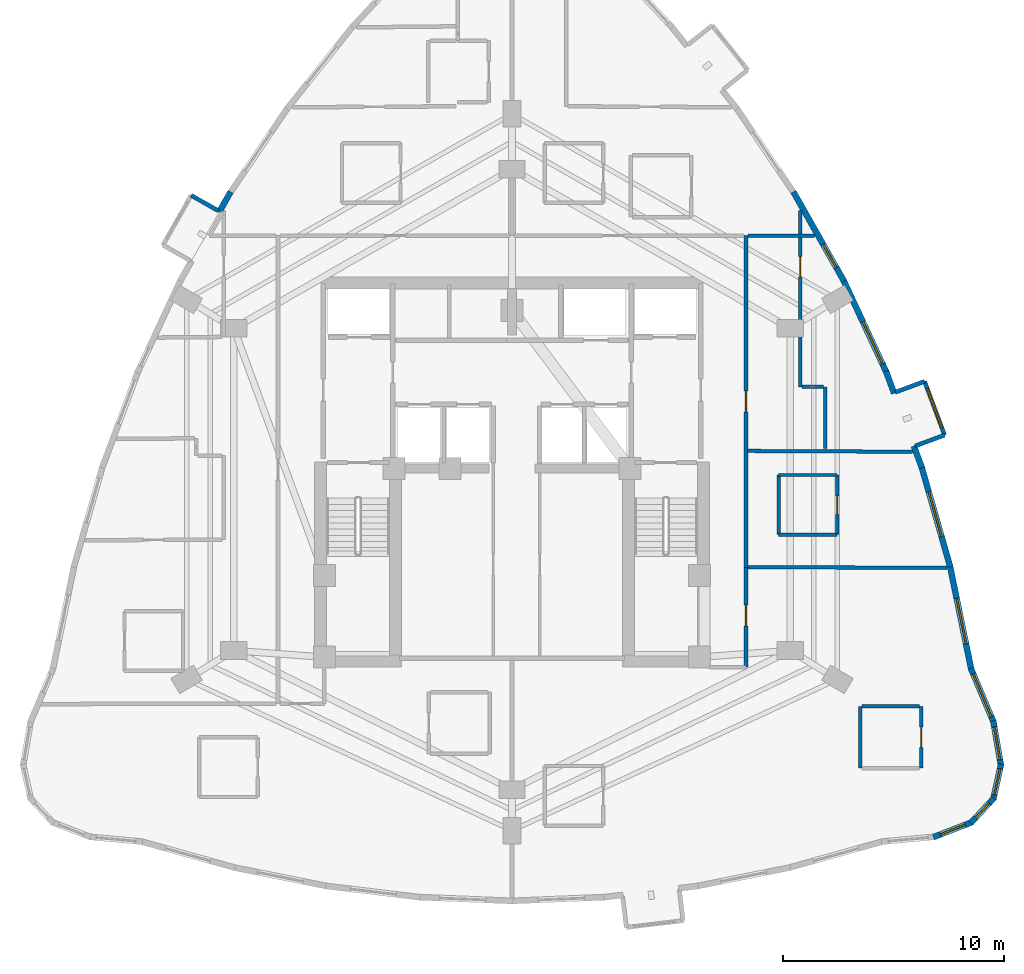
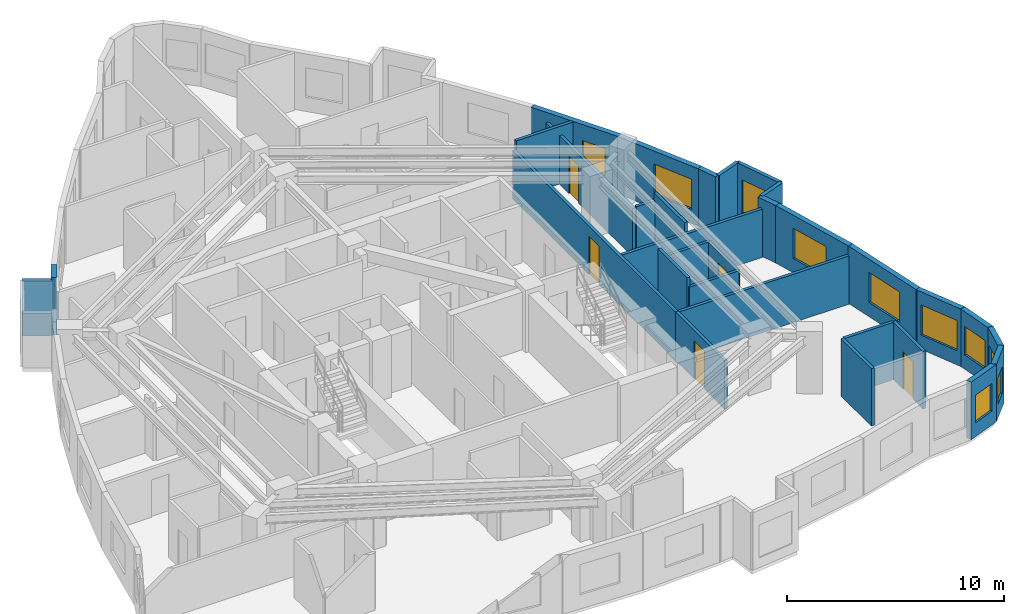
# One storey, part 9 of 12: 31 walls, 10 windows, 5 doors, 15 openings.
"""IFC4 building model written with IfcOpenShell, lengths in metres."""

from ifc_helpers import new_model, si_unit, direction, frame, frame_2d, origin, place, context, subcontext, project, spatial, rectangle, extrude, material, layer, layer_set, type_object, element, fill, save


model = new_model("IFC4")

# Units and contexts
model_context = context("Model", 3, precision=1e-05, world=origin(), true_north=direction((0.0, 1.0)))
body_context = subcontext(model_context, "Body", "Model", "MODEL_VIEW")
ifc_project = project(units=[si_unit("LENGTHUNIT", "METRE"), si_unit("AREAUNIT", "SQUARE_METRE"), si_unit("VOLUMEUNIT", "CUBIC_METRE"), si_unit("PLANEANGLEUNIT", "RADIAN"), si_unit("MASSUNIT", "GRAM", prefix="KILO")], contexts=[model_context])

# Site, building, storey
site_placement = place(None, origin())
site = spatial("IfcSite", under=ifc_project, at=site_placement, CompositionType="ELEMENT")
building_placement = place(site_placement, origin())
building = spatial("IfcBuilding", under=site, at=building_placement, Name="Miruveldt Soraemaru", CompositionType="ELEMENT")
storey_placement = place(building_placement, frame((0.0, 0.0, 110.89990234375)))
storey = spatial("IfcBuildingStorey", under=building, at=storey_placement, Name="L30", CompositionType="ELEMENT", Elevation=110.89990234375)

# Walls
ifc_material_1 = material(Name="White powder-coated aluminium EN AW-6060 T6", Category="aluminium")
ifc_layer_1 = layer(ifc_material_1, 0.18994140625, Name="White powder-coated aluminium EN AW-6060 T6", Category="aluminium")
ifc_layer_set_1 = layer_set([ifc_layer_1], Name="White powder-coated aluminium EN AW-6060 T6")
wall_type_1 = type_object("IfcWallType", Name="WALL-BAY-ALU190", PredefinedType="SOLIDWALL", material=ifc_layer_set_1)
wall_1_placement = place(storey_placement, frame((30.7021484375, 55.720703125, 0.0), z_axis=(0.0, 0.0, 1.0), x_axis=(-0.869799191674, 0.493405883794, 0.0)))
element("IfcWall", 1, at=wall_1_placement, inside=storey, type_object=wall_type_1, Name="L30 Bay Window Side Cheek 4L", PredefinedType="SOLIDWALL", context=body_context, shape_type="SweptSolid", body=[
    extrude(rectangle(XDim=1.425048828125, YDim=0.18994140625, at=frame_2d((0.71240234375, 0.0))), origin(), (0.0, 0.0, 1.0), 3.085205078125),
])
for number, where, z_axis, x_axis, name in (
    (2, (62.263671875, 45.063232421875, 0.0), (0.0, 0.0, 1.0), (0.937073323404, 0.34913262031, 0.0), "L30 Bay Window Side Cheek 2L"),
    (3, (62.691650390625, 47.997314453125, 0.0), (0.0, 0.0, 1.0), (-0.937073323404, -0.34913262031, 0.0), "L30 Bay Window Side Cheek 2R"),
):
    element("IfcWall", number, at=place(storey_placement, frame(where, z_axis=z_axis, x_axis=x_axis)), inside=storey, type_object=wall_type_1, Name=name, PredefinedType="SOLIDWALL", context=body_context, shape_type="SweptSolid", body=[
        extrude(rectangle(XDim=1.425048828125, YDim=0.18994140625, at=frame_2d((0.71240234375, 0.0))), origin(), (0.0, 0.0, 1.0), 3.235107421875),
    ])

# Wall, opening, window
wall_2_placement = place(storey_placement, frame((63.59912109375, 45.560791015625, 0.0), z_axis=(0.0, 0.0, 1.0), x_axis=(-0.349023333144, 0.937114034107, 0.0)))
wall_2 = element("IfcWall", 4, at=wall_2_placement, inside=storey, type_object=wall_type_1, Name="L30 Bay Window Front Frame 2", PredefinedType="SOLIDWALL", context=body_context, shape_type="SweptSolid", body=[
    extrude(rectangle(XDim=2.60009765625, YDim=0.18994140625, at=frame_2d((1.300048828125, 0.0))), origin(), (0.0, 0.0, 1.0), 3.235107421875),
])
opening_1_placement = place(wall_2_placement, frame((0.35009765625, 0.0, 0.550048828125)))
opening_1 = element("IfcOpeningElement", 5, at=opening_1_placement, cuts=wall_2, Name="Opening WN-6", PredefinedType="OPENING", context=body_context, shape_type="SweptSolid", body=[
    extrude(rectangle(XDim=1.89990234375, YDim=1.85009765625, at=frame_2d((0.949951171875, 0.925048828125))), frame((0.0, 0.10498046875, 0.0), z_axis=(0.0, -1.0, 0.0), x_axis=(1.0, 0.0, 0.0)), (0.0, 0.0, 1.0), 0.2099609375),
])
ifc_material_2 = material(Name="Triple low-e insulated glazing", Category="glass")
window_type_1 = type_object("IfcWindowType", Name="WIN-BAYW-1900x1850", PartitioningType="SINGLE_PANEL", PredefinedType="WINDOW", material=ifc_material_2)
window_1_placement = place(opening_1_placement, origin())
window_1 = element("IfcWindow", 6, at=window_1_placement, inside=storey, type_object=window_type_1, Name="L30 Projecting Bay Window 2", OverallHeight=1.85009765625, OverallWidth=1.89990234375, PartitioningType="SINGLE_PANEL", PredefinedType="WINDOW", context=body_context, shape_type="SweptSolid", body=[
    extrude(rectangle(XDim=1.89990234375, YDim=1.85009765625, at=frame_2d((0.949951171875, 0.925048828125))), frame((0.0, 0.030029296875, 0.0), z_axis=(0.0, -1.0, 0.0), x_axis=(1.0, 0.0, 0.0)), (0.0, 0.0, 1.0), 0.06005859375),
])
fill(opening_1, window_1)

# Wall
ifc_material_3 = material(Name="Precast concrete C45/55 (45 MPa)", Category="concrete")
ifc_layer_2 = layer(ifc_material_3, 0.27001953125, Name="Precast concrete C45/55 (45 MPa)", Category="concrete")
ifc_layer_set_2 = layer_set([ifc_layer_2], Name="Precast concrete C45/55 (45 MPa)")
wall_type_2 = type_object("IfcWallType", Name="WALL-EXT-PC270", PredefinedType="SOLIDWALL", material=ifc_layer_set_2)
wall_3_placement = place(storey_placement, frame((31.25537109375, 56.584716796875, 0.0), z_axis=(0.0, 0.0, 1.0), x_axis=(-0.493368864845, -0.869820190155, 0.0)))
element("IfcWall", 7, at=wall_3_placement, inside=storey, type_object=wall_type_2, Name="L30 Precast Pier Wall 10A", PredefinedType="SOLIDWALL", context=body_context, shape_type="SweptSolid", body=[
    extrude(rectangle(XDim=1.054443359375, YDim=0.27001953125, at=frame_2d((0.52734375, 0.0))), origin(), (0.0, 0.0, 1.0), 3.235107421875),
])

# Wall, opening, window
wall_4_placement = place(storey_placement, frame((63.08984375, 27.344482421875, 0.0), z_axis=(0.0, 0.0, 1.0), x_axis=(0.932266214278, 0.361773003023, 0.0)))
wall_4 = element("IfcWall", 8, at=wall_4_placement, inside=storey, type_object=wall_type_2, Name="L30 Precast Concrete Facade Wall 30", PredefinedType="SOLIDWALL", context=body_context, shape_type="SweptSolid", body=[
    extrude(rectangle(XDim=1.872802734375, YDim=0.27001953125, at=frame_2d((0.9365234375, 0.0))), origin(), (0.0, 0.0, 1.0), 3.235107421875),
])
opening_2_placement = place(wall_4_placement, frame((0.3369140625, 0.0, 0.780029296875)))
opening_2 = element("IfcOpeningElement", 9, at=opening_2_placement, cuts=wall_4, Name="Opening WN-4", PredefinedType="OPENING", context=body_context, shape_type="SweptSolid", body=[
    extrude(rectangle(XDim=1.199951171875, YDim=1.550048828125, at=frame_2d((0.60009765625, 0.77490234375))), frame((0.0, 0.14501953125, 0.0), z_axis=(0.0, -1.0, 0.0), x_axis=(1.0, 0.0, 0.0)), (0.0, 0.0, 1.0), 0.2900390625),
])
window_type_2 = type_object("IfcWindowType", Name="WIN-PUNCH-1200x1550", PartitioningType="SINGLE_PANEL", PredefinedType="WINDOW", material=ifc_material_2)
window_2_placement = place(opening_2_placement, origin())
window_2 = element("IfcWindow", 10, at=window_2_placement, inside=storey, type_object=window_type_2, Name="L30 Punched Triple-Glazed Window 30.1", OverallHeight=1.550048828125, OverallWidth=1.199951171875, PartitioningType="SINGLE_PANEL", PredefinedType="WINDOW", context=body_context, shape_type="SweptSolid", body=[
    extrude(rectangle(XDim=1.199951171875, YDim=1.550048828125, at=frame_2d((0.60009765625, 0.77490234375))), frame((0.0, 0.030029296875, 0.0), z_axis=(0.0, -1.0, 0.0), x_axis=(1.0, 0.0, 0.0)), (0.0, 0.0, 1.0), 0.06005859375),
])
fill(opening_2, window_2)

wall_5_placement = place(storey_placement, frame((64.779296875, 27.983642578125, 0.0), z_axis=(0.0, 0.0, 1.0), x_axis=(0.68019166937, 0.733034305418, 0.0)))
wall_5 = element("IfcWall", 11, at=wall_5_placement, inside=storey, type_object=wall_type_2, Name="L30 Precast Concrete Facade Wall 31", PredefinedType="SOLIDWALL", context=body_context, shape_type="SweptSolid", body=[
    extrude(rectangle(XDim=1.552490234375, YDim=0.27001953125, at=frame_2d((0.7763671875, 0.0))), origin(), (0.0, 0.0, 1.0), 3.235107421875),
])
opening_3_placement = place(wall_5_placement, frame((0.325927734375, 0.0, 0.780029296875)))
opening_3 = element("IfcOpeningElement", 12, at=opening_3_placement, cuts=wall_5, Name="Opening WN-7", PredefinedType="OPENING", context=body_context, shape_type="SweptSolid", body=[
    extrude(rectangle(XDim=0.89990234375, YDim=1.5, at=frame_2d((0.449951171875, 0.75))), frame((0.0, 0.14501953125, 0.0), z_axis=(0.0, -1.0, 0.0), x_axis=(1.0, 0.0, 0.0)), (0.0, 0.0, 1.0), 0.2900390625),
])
window_type_3 = type_object("IfcWindowType", Name="WIN-PUNCH-900x1500", PartitioningType="SINGLE_PANEL", PredefinedType="WINDOW", material=ifc_material_2)
window_3_placement = place(opening_3_placement, origin())
window_3 = element("IfcWindow", 13, at=window_3_placement, inside=storey, type_object=window_type_3, Name="L30 Punched Triple-Glazed Window 31.1", OverallHeight=1.5, OverallWidth=0.89990234375, PartitioningType="SINGLE_PANEL", PredefinedType="WINDOW", context=body_context, shape_type="SweptSolid", body=[
    extrude(rectangle(XDim=0.89990234375, YDim=1.5, at=frame_2d((0.449951171875, 0.75))), frame((0.0, 0.030029296875, 0.0), z_axis=(0.0, -1.0, 0.0), x_axis=(1.0, 0.0, 0.0)), (0.0, 0.0, 1.0), 0.06005859375),
])
fill(opening_3, window_3)

wall_6_placement = place(storey_placement, frame((65.803955078125, 29.061767578125, 0.0), z_axis=(0.0, 0.0, 1.0), x_axis=(0.215628344591, 0.976475507634, 0.0)))
wall_6 = element("IfcWall", 14, at=wall_6_placement, inside=storey, type_object=wall_type_2, Name="L30 Precast Concrete Facade Wall 32", PredefinedType="SOLIDWALL", context=body_context, shape_type="SweptSolid", body=[
    extrude(rectangle(XDim=1.628173828125, YDim=0.27001953125, at=frame_2d((0.81396484375, 0.0))), origin(), (0.0, 0.0, 1.0), 3.235107421875),
])
opening_4_placement = place(wall_6_placement, frame((0.214111328125, 0.0, 0.780029296875)))
opening_4 = element("IfcOpeningElement", 15, at=opening_4_placement, cuts=wall_6, Name="Opening WN-4", PredefinedType="OPENING", context=body_context, shape_type="SweptSolid", body=[
    extrude(rectangle(XDim=1.199951171875, YDim=1.550048828125, at=frame_2d((0.60009765625, 0.77490234375))), frame((0.0, 0.14501953125, 0.0), z_axis=(0.0, -1.0, 0.0), x_axis=(1.0, 0.0, 0.0)), (0.0, 0.0, 1.0), 0.2900390625),
])
window_4_placement = place(opening_4_placement, origin())
window_4 = element("IfcWindow", 16, at=window_4_placement, inside=storey, type_object=window_type_2, Name="L30 Punched Triple-Glazed Window 32.1", OverallHeight=1.550048828125, OverallWidth=1.199951171875, PartitioningType="SINGLE_PANEL", PredefinedType="WINDOW", context=body_context, shape_type="SweptSolid", body=[
    extrude(rectangle(XDim=1.199951171875, YDim=1.550048828125, at=frame_2d((0.60009765625, 0.77490234375))), frame((0.0, 0.030029296875, 0.0), z_axis=(0.0, -1.0, 0.0), x_axis=(1.0, 0.0, 0.0)), (0.0, 0.0, 1.0), 0.06005859375),
])
fill(opening_4, window_4)

wall_7_placement = place(storey_placement, frame((66.1533203125, 30.5830078125, 0.0), z_axis=(0.0, 0.0, 1.0), x_axis=(-0.16931007095, 0.985562834057, 0.0)))
wall_7 = element("IfcWall", 17, at=wall_7_placement, inside=storey, type_object=wall_type_2, Name="L30 Precast Concrete Facade Wall 33", PredefinedType="SOLIDWALL", context=body_context, shape_type="SweptSolid", body=[
    extrude(rectangle(XDim=2.054931640625, YDim=0.27001953125, at=frame_2d((1.02734375, 0.0))), origin(), (0.0, 0.0, 1.0), 3.235107421875),
])
opening_5_placement = place(wall_7_placement, frame((0.278076171875, 0.0, 0.800048828125)))
opening_5 = element("IfcOpeningElement", 18, at=opening_5_placement, cuts=wall_7, Name="Opening WN-3", PredefinedType="OPENING", context=body_context, shape_type="SweptSolid", body=[
    extrude(rectangle(XDim=1.5, YDim=1.60009765625, at=frame_2d((0.75, 0.800048828125))), frame((0.0, 0.14501953125, 0.0), z_axis=(0.0, -1.0, 0.0), x_axis=(1.0, 0.0, 0.0)), (0.0, 0.0, 1.0), 0.2900390625),
])
window_type_4 = type_object("IfcWindowType", Name="WIN-PUNCH-1500x1600", PartitioningType="SINGLE_PANEL", PredefinedType="WINDOW", material=ifc_material_2)
window_5_placement = place(opening_5_placement, origin())
window_5 = element("IfcWindow", 19, at=window_5_placement, inside=storey, type_object=window_type_4, Name="L30 Punched Triple-Glazed Window 33.1", OverallHeight=1.60009765625, OverallWidth=1.5, PartitioningType="SINGLE_PANEL", PredefinedType="WINDOW", context=body_context, shape_type="SweptSolid", body=[
    extrude(rectangle(XDim=1.5, YDim=1.60009765625, at=frame_2d((0.75, 0.800048828125))), frame((0.0, 0.030029296875, 0.0), z_axis=(0.0, -1.0, 0.0), x_axis=(1.0, 0.0, 0.0)), (0.0, 0.0, 1.0), 0.06005859375),
])
fill(opening_5, window_5)

wall_8_placement = place(storey_placement, frame((65.824951171875, 32.54150390625, 0.0), z_axis=(0.0, 0.0, 1.0), x_axis=(-0.38867133727, 0.921376465721, 0.0)))
wall_8 = element("IfcWall", 20, at=wall_8_placement, inside=storey, type_object=wall_type_2, Name="L30 Precast Concrete Facade Wall 34", PredefinedType="SOLIDWALL", context=body_context, shape_type="SweptSolid", body=[
    extrude(rectangle(XDim=2.66455078125, YDim=0.27001953125, at=frame_2d((1.332275390625, 0.0))), origin(), (0.0, 0.0, 1.0), 3.235107421875),
])
opening_6_placement = place(wall_8_placement, frame((0.281982421875, 0.0, 0.800048828125)))
opening_6 = element("IfcOpeningElement", 21, at=opening_6_placement, cuts=wall_8, Name="Opening WN-1", PredefinedType="OPENING", context=body_context, shape_type="SweptSolid", body=[
    extrude(rectangle(XDim=2.10009765625, YDim=1.699951171875, at=frame_2d((1.050048828125, 0.85009765625))), frame((0.0, 0.14501953125, 0.0), z_axis=(0.0, -1.0, 0.0), x_axis=(1.0, 0.0, 0.0)), (0.0, 0.0, 1.0), 0.2900390625),
])
window_type_5 = type_object("IfcWindowType", Name="WIN-PUNCH-2100x1700", PartitioningType="SINGLE_PANEL", PredefinedType="WINDOW", material=ifc_material_2)
window_6_placement = place(opening_6_placement, origin())
window_6 = element("IfcWindow", 22, at=window_6_placement, inside=storey, type_object=window_type_5, Name="L30 Punched Triple-Glazed Window 34.1", OverallHeight=1.699951171875, OverallWidth=2.10009765625, PartitioningType="SINGLE_PANEL", PredefinedType="WINDOW", context=body_context, shape_type="SweptSolid", body=[
    extrude(rectangle(XDim=2.10009765625, YDim=1.699951171875, at=frame_2d((1.050048828125, 0.85009765625))), frame((0.0, 0.030029296875, 0.0), z_axis=(0.0, -1.0, 0.0), x_axis=(1.0, 0.0, 0.0)), (0.0, 0.0, 1.0), 0.06005859375),
])
fill(opening_6, window_6)

wall_9_placement = place(storey_placement, frame((64.81005859375, 34.93017578125, 0.0), z_axis=(0.0, 0.0, 1.0), x_axis=(-0.201557182252, 0.97947674923, 0.0)))
wall_9 = element("IfcWall", 23, at=wall_9_placement, inside=storey, type_object=wall_type_2, Name="L30 Precast Concrete Facade Wall 35", PredefinedType="SOLIDWALL", context=body_context, shape_type="SweptSolid", body=[
    extrude(rectangle(XDim=4.82080078125, YDim=0.27001953125, at=frame_2d((2.410400390625, 0.0))), origin(), (0.0, 0.0, 1.0), 3.235107421875),
])
opening_7_placement = place(wall_9_placement, frame((1.2060546875, 0.0, 0.800048828125)))
opening_7 = element("IfcOpeningElement", 24, at=opening_7_placement, cuts=wall_9, Name="Opening WN-1", PredefinedType="OPENING", context=body_context, shape_type="SweptSolid", body=[
    extrude(rectangle(XDim=2.10009765625, YDim=1.699951171875, at=frame_2d((1.050048828125, 0.85009765625))), frame((0.0, 0.14501953125, 0.0), z_axis=(0.0, -1.0, 0.0), x_axis=(1.0, 0.0, 0.0)), (0.0, 0.0, 1.0), 0.2900390625),
])
window_7_placement = place(opening_7_placement, origin())
window_7 = element("IfcWindow", 25, at=window_7_placement, inside=storey, type_object=window_type_5, Name="L30 Punched Triple-Glazed Window 35.1", OverallHeight=1.699951171875, OverallWidth=2.10009765625, PartitioningType="SINGLE_PANEL", PredefinedType="WINDOW", context=body_context, shape_type="SweptSolid", body=[
    extrude(rectangle(XDim=2.10009765625, YDim=1.699951171875, at=frame_2d((1.050048828125, 0.85009765625))), frame((0.0, 0.030029296875, 0.0), z_axis=(0.0, -1.0, 0.0), x_axis=(1.0, 0.0, 0.0)), (0.0, 0.0, 1.0), 0.06005859375),
])
fill(opening_7, window_7)

wall_10_placement = place(storey_placement, frame((63.85498046875, 39.583984375, 0.0), z_axis=(0.0, 0.0, 1.0), x_axis=(-0.274932196805, 0.961463617179, 0.0)))
wall_10 = element("IfcWall", 26, at=wall_10_placement, inside=storey, type_object=wall_type_2, Name="L30 Precast Concrete Facade Wall 36", PredefinedType="SOLIDWALL", context=body_context, shape_type="SweptSolid", body=[
    extrude(rectangle(XDim=4.73583984375, YDim=0.27001953125, at=frame_2d((2.367919921875, 0.0))), origin(), (0.0, 0.0, 1.0), 3.235107421875),
])
opening_8_placement = place(wall_10_placement, frame((1.444091796875, 0.0, 0.800048828125)))
opening_8 = element("IfcOpeningElement", 27, at=opening_8_placement, cuts=wall_10, Name="Opening WN-1", PredefinedType="OPENING", context=body_context, shape_type="SweptSolid", body=[
    extrude(rectangle(XDim=2.10009765625, YDim=1.699951171875, at=frame_2d((1.050048828125, 0.85009765625))), frame((0.0, 0.14501953125, 0.0), z_axis=(0.0, -1.0, 0.0), x_axis=(1.0, 0.0, 0.0)), (0.0, 0.0, 1.0), 0.2900390625),
])
window_8_placement = place(opening_8_placement, origin())
window_8 = element("IfcWindow", 28, at=window_8_placement, inside=storey, type_object=window_type_5, Name="L30 Punched Triple-Glazed Window 36.1", OverallHeight=1.699951171875, OverallWidth=2.10009765625, PartitioningType="SINGLE_PANEL", PredefinedType="WINDOW", context=body_context, shape_type="SweptSolid", body=[
    extrude(rectangle(XDim=2.10009765625, YDim=1.699951171875, at=frame_2d((1.050048828125, 0.85009765625))), frame((0.0, 0.030029296875, 0.0), z_axis=(0.0, -1.0, 0.0), x_axis=(1.0, 0.0, 0.0)), (0.0, 0.0, 1.0), 0.06005859375),
])
fill(opening_8, window_8)

# Walls
for number, where, z_axis, x_axis, name in (
    (29, (62.57470703125, 44.070556640625, 0.0), (0.0, 0.0, 1.0), (-0.348994974881, 0.937124595509, 0.0), "L30 Precast Pier Wall 37A"),
    (30, (61.315185546875, 47.452392578125, 0.0), (0.0, 0.0, 1.0), (-0.348994974881, 0.937124595509, 0.0), "L30 Precast Pier Wall 37B"),
):
    element("IfcWall", number, at=place(storey_placement, frame(where, z_axis=z_axis, x_axis=x_axis)), inside=storey, type_object=wall_type_2, Name=name, PredefinedType="SOLIDWALL", context=body_context, shape_type="SweptSolid", body=[
        extrude(rectangle(XDim=1.06884765625, YDim=0.27001953125, at=frame_2d((0.534423828125, 0.0))), origin(), (0.0, 0.0, 1.0), 3.235107421875),
    ])

# Wall, opening, window
wall_11_placement = place(storey_placement, frame((60.968994140625, 48.3896484375, 0.0), z_axis=(0.0, 0.0, 1.0), x_axis=(-0.422316092013, 0.906448629778, 0.0)))
wall_11 = element("IfcWall", 31, at=wall_11_placement, inside=storey, type_object=wall_type_2, Name="L30 Precast Concrete Facade Wall 38", PredefinedType="SOLIDWALL", context=body_context, shape_type="SweptSolid", body=[
    extrude(rectangle(XDim=4.6484375, YDim=0.27001953125, at=frame_2d((2.32421875, 0.0))), origin(), (0.0, 0.0, 1.0), 3.235107421875),
])
opening_9_placement = place(wall_11_placement, frame((0.43896484375, 0.0, 0.800048828125)))
opening_9 = element("IfcOpeningElement", 32, at=opening_9_placement, cuts=wall_11, Name="Opening WN-1", PredefinedType="OPENING", context=body_context, shape_type="SweptSolid", body=[
    extrude(rectangle(XDim=2.10009765625, YDim=1.699951171875, at=frame_2d((1.050048828125, 0.85009765625))), frame((0.0, 0.14501953125, 0.0), z_axis=(0.0, -1.0, 0.0), x_axis=(1.0, 0.0, 0.0)), (0.0, 0.0, 1.0), 0.2900390625),
])
window_9_placement = place(opening_9_placement, origin())
window_9 = element("IfcWindow", 33, at=window_9_placement, inside=storey, type_object=window_type_5, Name="L30 Punched Triple-Glazed Window 38.1", OverallHeight=1.699951171875, OverallWidth=2.10009765625, PartitioningType="SINGLE_PANEL", PredefinedType="WINDOW", context=body_context, shape_type="SweptSolid", body=[
    extrude(rectangle(XDim=2.10009765625, YDim=1.699951171875, at=frame_2d((1.050048828125, 0.85009765625))), frame((0.0, 0.030029296875, 0.0), z_axis=(0.0, -1.0, 0.0), x_axis=(1.0, 0.0, 0.0)), (0.0, 0.0, 1.0), 0.06005859375),
])
fill(opening_9, window_9)

wall_12_placement = place(storey_placement, frame((59.0380859375, 52.541259765625, 0.0), z_axis=(0.0, 0.0, 1.0), x_axis=(-0.493365015051, 0.869822373778, 0.0)))
wall_12 = element("IfcWall", 34, at=wall_12_placement, inside=storey, type_object=wall_type_2, Name="L30 Precast Concrete Facade Wall 39", PredefinedType="SOLIDWALL", context=body_context, shape_type="SweptSolid", body=[
    extrude(rectangle(XDim=4.648681640625, YDim=0.27001953125, at=frame_2d((2.32421875, 0.0))), origin(), (0.0, 0.0, 1.0), 3.235107421875),
])
opening_10_placement = place(wall_12_placement, frame((0.700927734375, 0.0, 0.780029296875)))
opening_10 = element("IfcOpeningElement", 35, at=opening_10_placement, cuts=wall_12, Name="Opening WN-4", PredefinedType="OPENING", context=body_context, shape_type="SweptSolid", body=[
    extrude(rectangle(XDim=1.199951171875, YDim=1.550048828125, at=frame_2d((0.60009765625, 0.77490234375))), frame((0.0, 0.14501953125, 0.0), z_axis=(0.0, -1.0, 0.0), x_axis=(1.0, 0.0, 0.0)), (0.0, 0.0, 1.0), 0.2900390625),
])
window_10_placement = place(opening_10_placement, origin())
window_10 = element("IfcWindow", 36, at=window_10_placement, inside=storey, type_object=window_type_2, Name="L30 Punched Triple-Glazed Window 39.1", OverallHeight=1.550048828125, OverallWidth=1.199951171875, PartitioningType="SINGLE_PANEL", PredefinedType="WINDOW", context=body_context, shape_type="SweptSolid", body=[
    extrude(rectangle(XDim=1.199951171875, YDim=1.550048828125, at=frame_2d((0.60009765625, 0.77490234375))), frame((0.0, 0.030029296875, 0.0), z_axis=(0.0, -1.0, 0.0), x_axis=(1.0, 0.0, 0.0)), (0.0, 0.0, 1.0), 0.06005859375),
])
fill(opening_10, window_10)

# Wall, opening, door
ifc_material_4 = material(Name="Gypsum plasterboard lining", Category="gypsum")
ifc_layer_3 = layer(ifc_material_4, 0.14990234375, Name="Gypsum plasterboard lining", Category="gypsum")
ifc_layer_set_3 = layer_set([ifc_layer_3], Name="Gypsum plasterboard lining")
wall_type_3 = type_object("IfcWallType", Name="WALL-INT-PLUMB", PredefinedType="PLUMBINGWALL", material=ifc_layer_set_3)
wall_13_placement = place(storey_placement, frame((58.72998046875, 41.049072265625, 0.0), z_axis=(0.0, 0.0, 1.0), x_axis=(0.0, 1.0, 0.0)))
wall_13 = element("IfcWall", 37, at=wall_13_placement, inside=storey, type_object=wall_type_3, Name="L30 Partition Wall 59", PredefinedType="PLUMBINGWALL", context=body_context, shape_type="SweptSolid", body=[
    extrude(rectangle(XDim=2.699951171875, YDim=0.14990234375, at=frame_2d((1.35009765625, 0.0))), origin(), (0.0, 0.0, 1.0), 2.72314453125),
])
opening_11_placement = place(wall_13_placement, frame((0.909912109375, 0.0, 0.0)))
opening_11 = element("IfcOpeningElement", 38, at=opening_11_placement, cuts=wall_13, Name="Opening FD3", PredefinedType="OPENING", context=body_context, shape_type="SweptSolid", body=[
    extrude(rectangle(XDim=0.85009765625, YDim=2.10009765625, at=frame_2d((0.425048828125, 1.050048828125))), frame((0.0, 0.0849609375, 0.0), z_axis=(0.0, -1.0, 0.0), x_axis=(1.0, 0.0, 0.0)), (0.0, 0.0, 1.0), 0.169921875),
])
ifc_material_5 = material(Name="Anodised aluminium EN AW-6063 T6", Category="aluminium")
door_type_1 = type_object("IfcDoorType", Name="DOOR-FD3-850", OperationType="NOTDEFINED", PredefinedType="DOOR", material=ifc_material_5)
door_1_placement = place(opening_11_placement, origin())
door_1 = element("IfcDoor", 39, at=door_1_placement, inside=storey, type_object=door_type_1, Name="L30 Unit 3005 BTH Door", OperationType="SINGLE_SWING_RIGHT", OverallHeight=2.10009765625, OverallWidth=0.85009765625, PredefinedType="DOOR", context=body_context, shape_type="SweptSolid", body=[
    extrude(rectangle(XDim=0.85009765625, YDim=2.10009765625, at=frame_2d((0.425048828125, 1.050048828125))), frame((0.0, 0.02490234375, 0.0), z_axis=(0.0, -1.0, 0.0), x_axis=(1.0, 0.0, 0.0)), (0.0, 0.0, 1.0), 0.050048828125),
])
fill(opening_11, door_1)

# Walls
wall_14_placement = place(storey_placement, frame((56.080078125, 43.7490234375, 0.0), z_axis=(0.0, 0.0, 1.0), x_axis=(0.0, -1.0, 0.0)))
element("IfcWall", 40, at=wall_14_placement, inside=storey, type_object=wall_type_3, Name="L30 Partition Wall 61", PredefinedType="PLUMBINGWALL", context=body_context, shape_type="SweptSolid", body=[
    extrude(rectangle(XDim=2.699951171875, YDim=0.14990234375, at=frame_2d((1.35009765625, 0.0))), origin(), (0.0, 0.0, 1.0), 3.235107421875),
])
for number, where, z_axis, x_axis, name in (
    (41, (58.72998046875, 43.7490234375, 0.0), (0.0, 0.0, 1.0), (-1.0, 0.0, 0.0), "L30 Partition Wall 60"),
    (42, (56.080078125, 41.049072265625, 0.0), (0.0, 0.0, 1.0), (1.0, 0.0, 0.0), "L30 Partition Wall 62"),
):
    element("IfcWall", number, at=place(storey_placement, frame(where, z_axis=z_axis, x_axis=x_axis)), inside=storey, type_object=wall_type_3, Name=name, PredefinedType="PLUMBINGWALL", context=body_context, shape_type="SweptSolid", body=[
        extrude(rectangle(XDim=2.64990234375, YDim=0.14990234375, at=frame_2d((1.324951171875, 0.0))), origin(), (0.0, 0.0, 1.0), 2.72314453125),
    ])

# Wall, opening, door
ifc_material_6 = material(Name="Concrete C40/50 (40 MPa)", Category="concrete")
ifc_layer_4 = layer(ifc_material_6, 0.159912109375, Name="Concrete C40/50 (40 MPa)", Category="concrete")
ifc_layer_set_4 = layer_set([ifc_layer_4], Name="Concrete C40/50 (40 MPa)")
wall_type_4 = type_object("IfcWallType", Name="WALL-INT-RC160", PredefinedType="SOLIDWALL", material=ifc_layer_set_4)
wall_15_placement = place(storey_placement, frame((54.60009765625, 39.571044921875, 0.0), z_axis=(0.0, 0.0, 1.0), x_axis=(0.0, 1.0, 0.0)))
wall_15 = element("IfcWall", 43, at=wall_15_placement, inside=storey, type_object=wall_type_4, Name="L30 Partition Wall 6", PredefinedType="SOLIDWALL", context=body_context, shape_type="SweptSolid", body=[
    extrude(rectangle(XDim=15.02392578125, YDim=0.159912109375, at=frame_2d((7.511962890625, 0.0))), origin(), (0.0, 0.0, 1.0), 2.72314453125),
])
opening_12_placement = place(wall_15_placement, frame((7.037109375, 0.0, 0.0)))
opening_12 = element("IfcOpeningElement", 44, at=opening_12_placement, cuts=wall_15, Name="Opening FD2", PredefinedType="OPENING", context=body_context, shape_type="SweptSolid", body=[
    extrude(rectangle(XDim=0.949951171875, YDim=2.14990234375, at=frame_2d((0.47509765625, 1.074951171875))), frame((0.0, 0.08984375, 0.0), z_axis=(0.0, -1.0, 0.0), x_axis=(1.0, 0.0, 0.0)), (0.0, 0.0, 1.0), 0.179931640625),
])
door_type_2 = type_object("IfcDoorType", Name="DOOR-FD2-950", OperationType="NOTDEFINED", PredefinedType="DOOR", material=ifc_material_5)
door_2_placement = place(opening_12_placement, origin())
door_2 = element("IfcDoor", 45, at=door_2_placement, inside=storey, type_object=door_type_2, Name="L30 Unit 3005 Entrance Fire Door", OperationType="SINGLE_SWING_LEFT", OverallHeight=2.14990234375, OverallWidth=0.949951171875, PredefinedType="DOOR", context=body_context, shape_type="SweptSolid", body=[
    extrude(rectangle(XDim=0.949951171875, YDim=2.14990234375, at=frame_2d((0.47509765625, 1.074951171875))), frame((0.0, 0.02490234375, 0.0), z_axis=(0.0, -1.0, 0.0), x_axis=(1.0, 0.0, 0.0)), (0.0, 0.0, 1.0), 0.050048828125),
])
fill(opening_12, door_2)

wall_16_placement = place(storey_placement, frame((57.050048828125, 47.7490234375, 0.0), z_axis=(0.0, 0.0, 1.0), x_axis=(0.0, 1.0, 0.0)))
wall_16 = element("IfcWall", 46, at=wall_16_placement, inside=storey, type_object=wall_type_4, Name="L30 Partition Wall 65", PredefinedType="SOLIDWALL", context=body_context, shape_type="SweptSolid", body=[
    extrude(rectangle(XDim=7.992919921875, YDim=0.159912109375, at=frame_2d((3.99658203125, 0.0))), origin(), (0.0, 0.0, 1.0), 2.72314453125),
])
opening_13_placement = place(wall_16_placement, frame((4.97607421875, 0.0, 0.0)))
opening_13 = element("IfcOpeningElement", 47, at=opening_13_placement, cuts=wall_16, Name="Opening D3A", PredefinedType="OPENING", context=body_context, shape_type="SweptSolid", body=[
    extrude(rectangle(XDim=0.919921875, YDim=2.10009765625, at=frame_2d((0.4599609375, 1.050048828125))), frame((0.0, 0.08984375, 0.0), z_axis=(0.0, -1.0, 0.0), x_axis=(1.0, 0.0, 0.0)), (0.0, 0.0, 1.0), 0.179931640625),
])
door_type_3 = type_object("IfcDoorType", Name="DOOR-INT-920", OperationType="NOTDEFINED", PredefinedType="DOOR", material=ifc_material_5)
door_3_placement = place(opening_13_placement, origin())
door_3 = element("IfcDoor", 48, at=door_3_placement, inside=storey, type_object=door_type_3, Name="L30 Unit 3005 BD1 Door", OperationType="SINGLE_SWING_LEFT", OverallHeight=2.10009765625, OverallWidth=0.919921875, PredefinedType="DOOR", context=body_context, shape_type="SweptSolid", body=[
    extrude(rectangle(XDim=0.919921875, YDim=2.10009765625, at=frame_2d((0.4599609375, 1.050048828125))), frame((0.0, 0.02490234375, 0.0), z_axis=(0.0, -1.0, 0.0), x_axis=(1.0, 0.0, 0.0)), (0.0, 0.0, 1.0), 0.050048828125),
])
fill(opening_13, door_3)

wall_17_placement = place(storey_placement, frame((54.60009765625, 35.050048828125, 0.0), z_axis=(0.0, 0.0, 1.0), x_axis=(0.0, 1.0, 0.0)))
wall_17 = element("IfcWall", 49, at=wall_17_placement, inside=storey, type_object=wall_type_4, Name="L30 Partition Wall 5", PredefinedType="SOLIDWALL", context=body_context, shape_type="SweptSolid", body=[
    extrude(rectangle(XDim=4.51904296875, YDim=0.159912109375, at=frame_2d((2.259521484375, 0.0))), origin(), (0.0, 0.0, 1.0), 2.735107421875),
])
opening_14_placement = place(wall_17_placement, frame((1.85498046875, 0.0, 0.0)))
opening_14 = element("IfcOpeningElement", 50, at=opening_14_placement, cuts=wall_17, Name="Opening FD2", PredefinedType="OPENING", context=body_context, shape_type="SweptSolid", body=[
    extrude(rectangle(XDim=0.949951171875, YDim=2.14990234375, at=frame_2d((0.47509765625, 1.074951171875))), frame((0.0, 0.08984375, 0.0), z_axis=(0.0, -1.0, 0.0), x_axis=(1.0, 0.0, 0.0)), (0.0, 0.0, 1.0), 0.179931640625),
])
door_4_placement = place(opening_14_placement, origin())
door_4 = element("IfcDoor", 51, at=door_4_placement, inside=storey, type_object=door_type_2, Name="L30 Unit CL04 Entrance Fire Door", OperationType="SINGLE_SWING_RIGHT", OverallHeight=2.14990234375, OverallWidth=0.949951171875, PredefinedType="DOOR", context=body_context, shape_type="SweptSolid", body=[
    extrude(rectangle(XDim=0.949951171875, YDim=2.14990234375, at=frame_2d((0.47509765625, 1.074951171875))), frame((0.0, 0.02490234375, 0.0), z_axis=(0.0, -1.0, 0.0), x_axis=(1.0, 0.0, 0.0)), (0.0, 0.0, 1.0), 0.050048828125),
])
fill(opening_14, door_4)

wall_18_placement = place(storey_placement, frame((62.530029296875, 30.468994140625, 0.0), z_axis=(0.0, 0.0, 1.0), x_axis=(0.0, 1.0, 0.0)))
wall_18 = element("IfcWall", 52, at=wall_18_placement, inside=storey, type_object=wall_type_4, Name="L30 Partition Wall 53", PredefinedType="SOLIDWALL", context=body_context, shape_type="SweptSolid", body=[
    extrude(rectangle(XDim=2.800048828125, YDim=0.159912109375, at=frame_2d((1.39990234375, 0.0))), origin(), (0.0, 0.0, 1.0), 3.235107421875),
])
opening_15_placement = place(wall_18_placement, frame((0.93994140625, 0.0, 0.0)))
opening_15 = element("IfcOpeningElement", 53, at=opening_15_placement, cuts=wall_18, Name="Opening D3A", PredefinedType="OPENING", context=body_context, shape_type="SweptSolid", body=[
    extrude(rectangle(XDim=0.919921875, YDim=2.10009765625, at=frame_2d((0.4599609375, 1.050048828125))), frame((0.0, 0.08984375, 0.0), z_axis=(0.0, -1.0, 0.0), x_axis=(1.0, 0.0, 0.0)), (0.0, 0.0, 1.0), 0.179931640625),
])
door_5_placement = place(opening_15_placement, origin())
door_5 = element("IfcDoor", 54, at=door_5_placement, inside=storey, type_object=door_type_3, Name="L30 Unit CL04 KIT Door", OperationType="SINGLE_SWING_RIGHT", OverallHeight=2.10009765625, OverallWidth=0.919921875, PredefinedType="DOOR", context=body_context, shape_type="SweptSolid", body=[
    extrude(rectangle(XDim=0.919921875, YDim=2.10009765625, at=frame_2d((0.4599609375, 1.050048828125))), frame((0.0, 0.02490234375, 0.0), z_axis=(0.0, -1.0, 0.0), x_axis=(1.0, 0.0, 0.0)), (0.0, 0.0, 1.0), 0.050048828125),
])
fill(opening_15, door_5)

# Walls
wall_19_placement = place(storey_placement, frame((63.705078125, 39.554931640625, 0.0), z_axis=(0.0, 0.0, 1.0), x_axis=(-0.999998768308, 0.001569516928, 0.0)))
element("IfcWall", 55, at=wall_19_placement, inside=storey, type_object=wall_type_4, Name="L30 Partition Wall 57", PredefinedType="SOLIDWALL", context=body_context, shape_type="SweptSolid", body=[
    extrude(rectangle(XDim=9.02197265625, YDim=0.159912109375, at=frame_2d((4.510986328125, 0.0))), origin(), (0.0, 0.0, 1.0), 2.72314453125),
])
wall_20_placement = place(storey_placement, frame((62.14111328125, 44.804931640625, 0.0), z_axis=(0.0, 0.0, 1.0), x_axis=(-0.999987842371, 0.004931035341, 0.0)))
element("IfcWall", 56, at=wall_20_placement, inside=storey, type_object=wall_type_4, Name="L30 Partition Wall 74", PredefinedType="SOLIDWALL", context=body_context, shape_type="SweptSolid", body=[
    extrude(rectangle(XDim=7.47607421875, YDim=0.159912109375, at=frame_2d((3.738037109375, 0.0))), origin(), (0.0, 0.0, 1.0), 2.72314453125),
])
wall_21_placement = place(storey_placement, frame((54.68505859375, 54.60009765625, 0.0), z_axis=(0.0, 0.0, 1.0), x_axis=(1.0, 0.0, 0.0)))
element("IfcWall", 57, at=wall_21_placement, inside=storey, type_object=wall_type_4, Name="L30 Partition Wall 36", PredefinedType="SOLIDWALL", context=body_context, shape_type="SweptSolid", body=[
    extrude(rectangle(XDim=3.012939453125, YDim=0.159912109375, at=frame_2d((1.50634765625, 0.0))), origin(), (0.0, 0.0, 1.0), 3.235107421875),
])
for number, where, z_axis, x_axis, name in (
    (58, (58.179931640625, 44.948974609375, 0.0), (0.0, 0.0, 1.0), (0.0, 1.0, 0.0), "L30 Partition Wall 63"),
    (59, (59.780029296875, 33.26904296875, 0.0), (0.0, 0.0, 1.0), (0.0, -1.0, 0.0), "L30 Partition Wall 55"),
):
    element("IfcWall", number, at=place(storey_placement, frame(where, z_axis=z_axis, x_axis=x_axis)), inside=storey, type_object=wall_type_4, Name=name, PredefinedType="SOLIDWALL", context=body_context, shape_type="SweptSolid", body=[
        extrude(rectangle(XDim=2.800048828125, YDim=0.159912109375, at=frame_2d((1.39990234375, 0.0))), origin(), (0.0, 0.0, 1.0), 3.235107421875),
    ])
wall_22_placement = place(storey_placement, frame((62.449951171875, 33.26904296875, 0.0), z_axis=(0.0, 0.0, 1.0), x_axis=(-1.0, 0.0, 0.0)))
element("IfcWall", 60, at=wall_22_placement, inside=storey, type_object=wall_type_4, Name="L30 Partition Wall 54", PredefinedType="SOLIDWALL", context=body_context, shape_type="SweptSolid", body=[
    extrude(rectangle(XDim=2.58984375, YDim=0.159912109375, at=frame_2d((1.294921875, 0.0))), origin(), (0.0, 0.0, 1.0), 3.235107421875),
])
wall_23_placement = place(storey_placement, frame((58.10009765625, 47.7490234375, 0.0), z_axis=(0.0, 0.0, 1.0), x_axis=(-1.0, 0.0, 0.0)))
element("IfcWall", 61, at=wall_23_placement, inside=storey, type_object=wall_type_4, Name="L30 Partition Wall 64", PredefinedType="SOLIDWALL", context=body_context, shape_type="SweptSolid", body=[
    extrude(rectangle(XDim=0.97021484375, YDim=0.159912109375, at=frame_2d((0.485107421875, 0.0))), origin(), (0.0, 0.0, 1.0), 2.822998046875),
])

save(model, "model.ifc")
